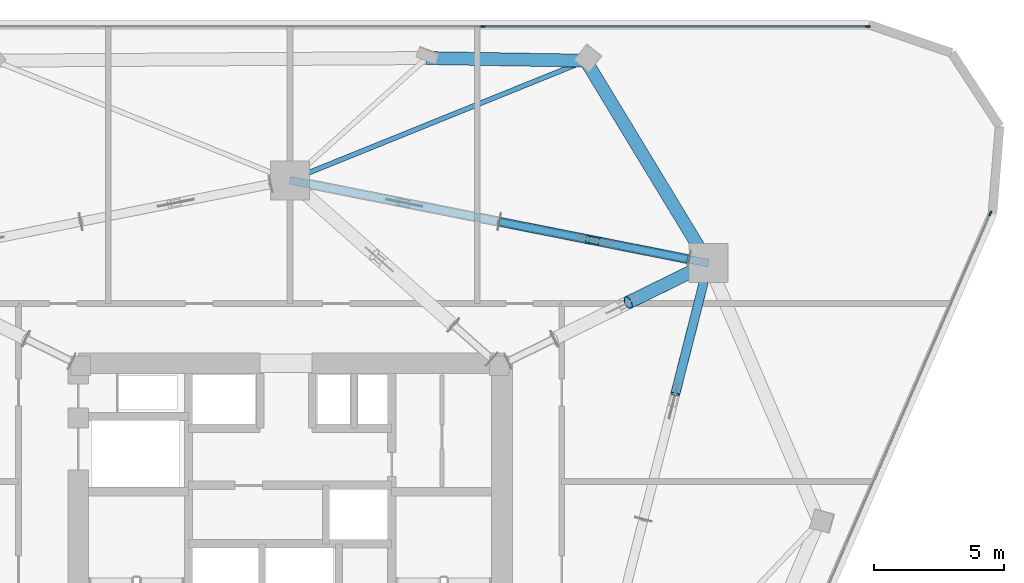
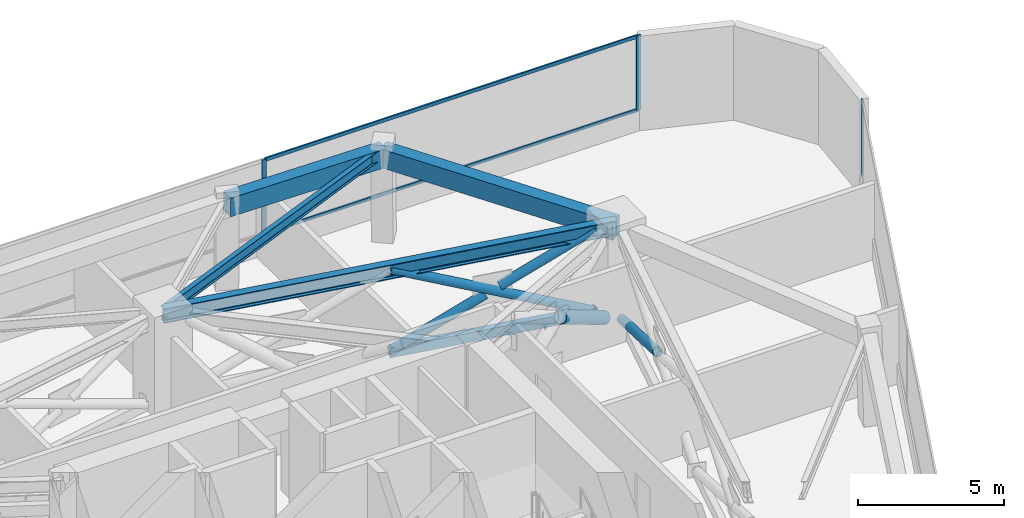
# One storey, part 8 of 13: 12 members, 4 beams, 2 elements without a shape of their own.
"""IFC4 building model written with IfcOpenShell, lengths in metres."""

from ifc_helpers import new_model, si_unit, direction, frame, origin, origin_2d, place, context, subcontext, project, spatial, rectangle, hollow_rectangle, hollow_circle, i_section, extrude, material, layer, layer_set, material_profile, profile_set, type_object, element, aggregate, save


model = new_model("IFC4")

# Units and contexts
model_context = context("Model", 3, precision=1e-05, world=origin(), true_north=direction((0.0, 1.0)))
body_context = subcontext(model_context, "Body", "Model", "MODEL_VIEW")
ifc_project = project(units=[si_unit("LENGTHUNIT", "METRE"), si_unit("AREAUNIT", "SQUARE_METRE"), si_unit("VOLUMEUNIT", "CUBIC_METRE"), si_unit("PLANEANGLEUNIT", "RADIAN"), si_unit("MASSUNIT", "GRAM", prefix="KILO")], contexts=[model_context])

# Site, building, storey
site_placement = place(None, origin())
site = spatial("IfcSite", under=ifc_project, at=site_placement, CompositionType="ELEMENT")
building_placement = place(site_placement, origin())
building = spatial("IfcBuilding", under=site, at=building_placement, Name="Talyreon Biosciences Tower", CompositionType="ELEMENT")
storey_placement = place(building_placement, frame((0.0, 0.0, 175.199951171875)))
storey = spatial("IfcBuildingStorey", under=building, at=storey_placement, Name="L46", CompositionType="ELEMENT", Elevation=175.199951171875)

# Members
ifc_material_1 = material(Name="Steel SM355", Category="steel")
ifc_material_profile_1 = material_profile(ifc_material_1, hollow_circle(Radius=0.177734375, WallThickness=0.01416015625, at=origin_2d()), Name="CHS 355.6x14.2")
ifc_profile_set_1 = profile_set([ifc_material_profile_1], Name="Steel SM355")
member_type_1 = type_object("IfcMemberType", Name="BeltBrace_CHS355", PredefinedType="BRACE", material=ifc_profile_set_1)
member_1_placement = place(storey_placement, frame((81.9150390625, 77.8623046875, 0.239990234375), z_axis=(-0.23142593224, -0.909615295168, 0.34502471315), x_axis=(0.969125822367, -0.246566705827, 0.0)))
element("IfcMember", 1, at=member_1_placement, inside=storey, type_object=member_type_1, Name="L46 Split Diagonal BELT-L46-B2S2B-Lower", PredefinedType="BRACE", context=body_context, shape_type="SweptSolid", body=[
    extrude(hollow_circle(Radius=0.177734375, WallThickness=0.01416015625, at=origin_2d()), origin(), (0.0, 0.0, 1.0), 4.734619140625),
])
member_2_placement = place(storey_placement, frame((81.35693359375, 78.746337890625, 0.239990234375), z_axis=(-0.889616925937, 0.176264495184, 0.421322385857), x_axis=(-0.194357006894, -0.980930860903, 0.0)))
element("IfcMember", 2, at=member_2_placement, inside=storey, type_object=member_type_1, Name="L46 Continuous Diagonal BELT-L46-B3S1A", PredefinedType="BRACE", context=body_context, shape_type="SweptSolid", body=[
    extrude(hollow_circle(Radius=0.177734375, WallThickness=0.01416015625, at=origin_2d()), origin(), (0.0, 0.0, 1.0), 8.212158203125),
])
for number, where, z_axis, x_axis, name in (
    (3, (74.05126953125, 80.19384765625, 0.239990234375), (0.889605921167, -0.176249304516, 0.421351976004), (0.194343202909, 0.980933595858, 0.0), "L46 Split Diagonal BELT-L46-B3S1B-Lower"),
    (4, (77.953125, 79.420654296875, 2.088134765625), (0.889643147326, -0.17624403765, 0.421275574426), (0.19432978993, 0.980936253151, 0.0), "L46 Split Diagonal BELT-L46-B3S1B-Upper"),
):
    element("IfcMember", number, at=place(storey_placement, frame(where, z_axis=z_axis, x_axis=x_axis)), inside=storey, type_object=member_type_1, Name=name, PredefinedType="BRACE", context=body_context, shape_type="SweptSolid", body=[
        extrude(hollow_circle(Radius=0.177734375, WallThickness=0.01416015625, at=origin_2d()), origin(), (0.0, 0.0, 1.0), 3.825927734375),
    ])
ifc_material_profile_2 = material_profile(ifc_material_1, hollow_rectangle(XDim=0.25, YDim=0.39990234375, WallThickness=0.01611328125, at=origin_2d()), Name="RHS 400x250x16")
ifc_profile_set_2 = profile_set([ifc_material_profile_2], Name="Steel SM355")
member_type_2 = type_object("IfcMemberType", Name="BeltChord_RHS400x250", PredefinedType="CHORD", material=ifc_profile_set_2)
for number, where, z_axis, x_axis, name in (
    (5, (81.35693359375, 78.746337890625, 0.239990234375), (-0.980930860903, 0.194357006894, 0.0), (-0.194357006894, -0.980930860903, 0.0), "L46 Truss Bottom Chord BELT-L46-B3S1"),
    (6, (81.35693359375, 78.746337890625, 3.699951171875), (-0.980930860903, 0.194357006894, 0.0), (-0.194357006894, -0.980930860903, 0.0), "L46 Truss Top Chord BELT-L46-B3S1"),
):
    element("IfcMember", number, at=place(storey_placement, frame(where, z_axis=z_axis, x_axis=x_axis)), inside=storey, type_object=member_type_2, Name=name, PredefinedType="CHORD", context=body_context, shape_type="SweptSolid", body=[
        extrude(hollow_rectangle(XDim=0.25, YDim=0.39990234375, WallThickness=0.01611328125, at=origin_2d()), origin(), (0.0, 0.0, 1.0), 7.44775390625),
    ])

# Curtain wall, members
ifc_material_2 = material(Name="Thermally broken aluminium and low-E glazing", Category="aluminium")
ifc_layer = layer(ifc_material_2, 0.18505859375)
ifc_layer_set = layer_set([ifc_layer], Name="Thermally broken aluminium and low-E glazing")
curtain_wall_type = type_object("IfcCurtainWallType", Name="CurtainWall_Zone3Bioprocess", PredefinedType="NOTDEFINED", material=ifc_layer_set)
curtain_wall_1_placement = place(storey_placement, origin())
curtain_wall_1 = element("IfcCurtainWall", 7, at=curtain_wall_1_placement, inside=storey, type_object=curtain_wall_type, Name="L46 Unitised Curtain Wall FCW-L46-04", PredefinedType="NOTDEFINED")
ifc_material_3 = material(Name="Anodised thermally broken aluminium", Category="aluminium")
ifc_material_profile_3 = material_profile(ifc_material_3, rectangle(XDim=0.06494140625, YDim=0.179931640625, at=origin_2d()), Name="ALUM MULLION 65x180")
ifc_profile_set_3 = profile_set([ifc_material_profile_3], Name="Anodised thermally broken aluminium")
member_type_3 = type_object("IfcMemberType", Name="CWMullion_65x180", PredefinedType="MULLION", material=ifc_profile_set_3)
member_3_placement = place(storey_placement, frame((73.42041015625, 87.705810546875, 0.81005859375), z_axis=(0.0, 0.0, 1.0), x_axis=(0.0, 1.0, 0.0)))
member_3 = element("IfcMember", 8, at=member_3_placement, type_object=member_type_3, Name="CW4 mullion 3", PredefinedType="MULLION", context=body_context, shape_type="SweptSolid", body=[
    extrude(rectangle(XDim=0.06494140625, YDim=0.179931640625, at=origin_2d()), origin(), (0.0, 0.0, 1.0), 3.139892578125),
])
member_4_placement = place(storey_placement, frame((88.22900390625, 87.705810546875, 0.81005859375), z_axis=(0.0, 0.0, 1.0), x_axis=(0.0, 1.0, 0.0)))
member_4 = element("IfcMember", 9, at=member_4_placement, type_object=member_type_3, Name="CW4 mullion 4", PredefinedType="MULLION", context=body_context, shape_type="SweptSolid", body=[
    extrude(rectangle(XDim=0.06494140625, YDim=0.179931640625, at=origin_2d()), origin(), (0.0, 0.0, 1.0), 3.139892578125),
])

# Curtain wall, member
curtain_wall_2_placement = place(storey_placement, origin())
curtain_wall_2 = element("IfcCurtainWall", 10, at=curtain_wall_2_placement, inside=storey, type_object=curtain_wall_type, Name="L46 Unitised Curtain Wall FCW-L46-08", PredefinedType="NOTDEFINED")
member_5_placement = place(storey_placement, frame((92.942626953125, 80.511474609375, 0.81005859375), z_axis=(0.0, 0.0, 1.0), x_axis=(0.916820215501, -0.399300253505, 0.0)))
member_5 = element("IfcMember", 11, at=member_5_placement, type_object=member_type_3, Name="CW4 mullion 1", PredefinedType="MULLION", context=body_context, shape_type="SweptSolid", body=[
    extrude(rectangle(XDim=0.06494140625, YDim=0.179931640625, at=origin_2d()), origin(), (0.0, 0.0, 1.0), 3.139892578125),
])
aggregate(curtain_wall_2, [member_5])

# Member
ifc_material_profile_4 = material_profile(ifc_material_3, rectangle(XDim=0.06494140625, YDim=0.139892578125, at=origin_2d()), Name="ALUM TRANSOM 65x140")
ifc_profile_set_4 = profile_set([ifc_material_profile_4], Name="Anodised thermally broken aluminium")
member_type_4 = type_object("IfcMemberType", Name="CWTransom_65x140", PredefinedType="USERDEFINED", material=ifc_profile_set_4)
member_6_placement = place(storey_placement, frame((73.452880859375, 87.705810546875, 0.842529296875), z_axis=(1.0, 0.0, 0.0), x_axis=(0.0, 1.0, 0.0)))
member_6 = element("IfcMember", 12, at=member_6_placement, type_object=member_type_4, Name="CW4 transom 3.1", ObjectType="TRANSOM", PredefinedType="USERDEFINED", context=body_context, shape_type="SweptSolid", body=[
    extrude(rectangle(XDim=0.06494140625, YDim=0.139892578125, at=origin_2d()), origin(), (0.0, 0.0, 1.0), 14.74365234375),
])

member_7_placement = place(storey_placement, frame((73.452880859375, 87.705810546875, 3.91748046875), z_axis=(1.0, 0.0, 0.0), x_axis=(0.0, 1.0, 0.0)))
member_7 = element("IfcMember", 13, at=member_7_placement, type_object=member_type_4, Name="CW4 transom 3.2", ObjectType="TRANSOM", PredefinedType="USERDEFINED", context=body_context, shape_type="SweptSolid", body=[
    extrude(rectangle(XDim=0.06494140625, YDim=0.139892578125, at=origin_2d()), origin(), (0.0, 0.0, 1.0), 14.74365234375),
])

aggregate(curtain_wall_1, [member_3, member_4, member_6, member_7])

# Beams
ifc_material_4 = material(Name="Precast concrete C45/55", Category="concrete")
ifc_material_profile_5 = material_profile(ifc_material_4, rectangle(XDim=0.5, YDim=0.780029296875, at=origin_2d()), Name="RCB 500x780")
ifc_profile_set_5 = profile_set([ifc_material_profile_5], Name="Precast concrete C45/55")
beam_type_1 = type_object("IfcBeamType", Name="ExpressedSpandrel_500x780", PredefinedType="SPANDREL", material=ifc_profile_set_5)
beam_1_placement = place(storey_placement, frame((82.102294921875, 78.5986328125, 3.56005859375), z_axis=(-0.518277369104, 0.855212586831, 0.0), x_axis=(-0.855212586831, -0.518277369104, 0.0)))
element("IfcBeam", 14, at=beam_1_placement, inside=storey, type_object=beam_type_1, Name="L46 Expressed Horizontal Concrete Spandrel 05", PredefinedType="SPANDREL", context=body_context, shape_type="SweptSolid", body=[
    extrude(rectangle(XDim=0.5, YDim=0.780029296875, at=origin_2d()), origin(), (0.0, 0.0, 1.0), 9.11181640625),
])
beam_2_placement = place(storey_placement, frame((77.3798828125, 86.39111328125, 3.56005859375), z_axis=(-0.999866605484, 0.016333133123, 0.0), x_axis=(-0.016333133123, -0.999866605484, 0.0)))
element("IfcBeam", 15, at=beam_2_placement, inside=storey, type_object=beam_type_1, Name="L46 Expressed Horizontal Concrete Spandrel 06", PredefinedType="SPANDREL", context=body_context, shape_type="SweptSolid", body=[
    extrude(rectangle(XDim=0.5, YDim=0.780029296875, at=origin_2d()), origin(), (0.0, 0.0, 1.0), 6.12841796875),
])

# Member
ifc_material_profile_6 = material_profile(ifc_material_1, hollow_circle(Radius=0.25390625, WallThickness=0.02001953125, at=origin_2d()), Name="CHS 508x20")
ifc_profile_set_6 = profile_set([ifc_material_profile_6], Name="Steel SM355")
member_type_5 = type_object("IfcMemberType", Name="OutriggerBrace_CHS508", PredefinedType="BRACE", material=ifc_profile_set_6)
member_8_placement = place(storey_placement, frame((81.419921875, 78.26416015625, 0.239990234375), z_axis=(-0.773055555926, -0.379137413771, 0.508566543266), x_axis=(0.440333824637, -0.897834128824, 0.0)))
element("IfcMember", 16, at=member_8_placement, inside=storey, type_object=member_type_5, Name="L46 Split Diagonal OUT-L46-R3B-Lower", PredefinedType="BRACE", context=body_context, shape_type="SweptSolid", body=[
    extrude(hollow_circle(Radius=0.25390625, WallThickness=0.02001953125, at=origin_2d()), origin(), (0.0, 0.0, 1.0), 3.121826171875),
])

# Beams
ifc_material_profile_7 = material_profile(ifc_material_1, i_section(OverallWidth=0.300048828125, OverallDepth=0.60009765625, WebThickness=0.015380859375, FlangeThickness=0.030029296875, FilletRadius=0.027099609375, at=origin_2d()), Name="HE600B")
ifc_profile_set_7 = profile_set([ifc_material_profile_7], Name="Steel SM355")
beam_type_2 = type_object("IfcBeamType", Name="SteelBeam_HE600B", PredefinedType="BEAM", material=ifc_profile_set_7)
beam_3_placement = place(storey_placement, frame((82.102294921875, 78.5986328125, 3.650146484375), z_axis=(-0.980933730698, 0.194342522311, 0.0), x_axis=(-0.194342522311, -0.980933730698, 0.0)))
element("IfcBeam", 17, at=beam_3_placement, inside=storey, type_object=beam_type_2, Name="L46 Mega-Ring Girder 3", PredefinedType="BEAM", context=body_context, shape_type="SweptSolid", body=[
    extrude(i_section(OverallWidth=0.300048828125, OverallDepth=0.60009765625, WebThickness=0.015380859375, FlangeThickness=0.030029296875, FilletRadius=0.027099609375, at=origin_2d()), origin(), (0.0, 0.0, 1.0), 16.415283203125),
])
ifc_material_profile_8 = material_profile(ifc_material_1, i_section(OverallWidth=0.18994140625, OverallDepth=0.449951171875, WebThickness=0.009521484375, FlangeThickness=0.0146484375, FilletRadius=0.02099609375, at=origin_2d()), Name="IPE450")
ifc_profile_set_8 = profile_set([ifc_material_profile_8], Name="Steel SM355")
beam_type_3 = type_object("IfcBeamType", Name="SteelJoist_IPE450", PredefinedType="JOIST", material=ifc_profile_set_8)
beam_4_placement = place(storey_placement, frame((66.0, 81.788818359375, 3.72509765625), z_axis=(0.927055799089, 0.374923386008, 0.0), x_axis=(-0.374923386008, 0.927055799089, 0.0)))
element("IfcBeam", 18, at=beam_4_placement, inside=storey, type_object=beam_type_3, Name="L46 Radial Composite Floor Joist PC-N1", PredefinedType="JOIST", context=body_context, shape_type="SweptSolid", body=[
    extrude(i_section(OverallWidth=0.18994140625, OverallDepth=0.449951171875, WebThickness=0.009521484375, FlangeThickness=0.0146484375, FilletRadius=0.02099609375, at=origin_2d()), origin(), (0.0, 0.0, 1.0), 12.275390625),
])

save(model, "model.ifc")
